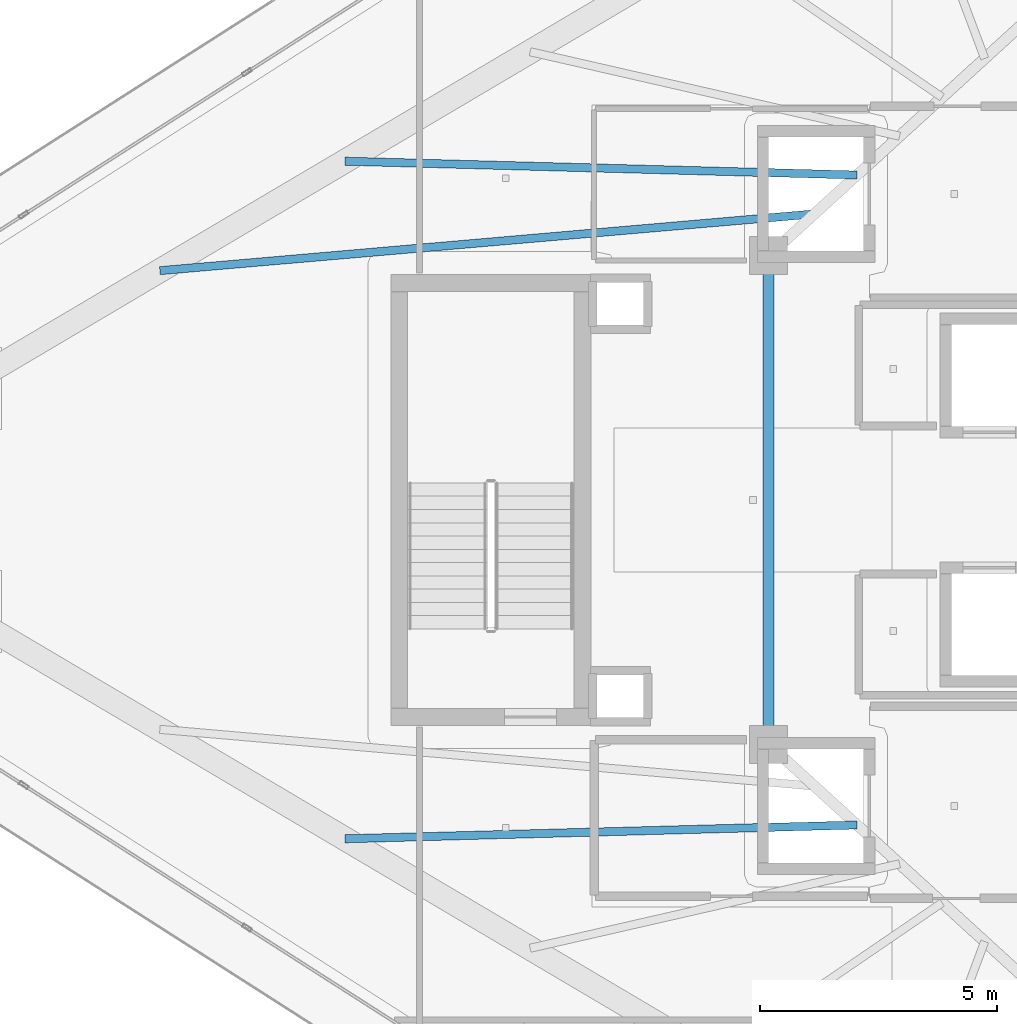
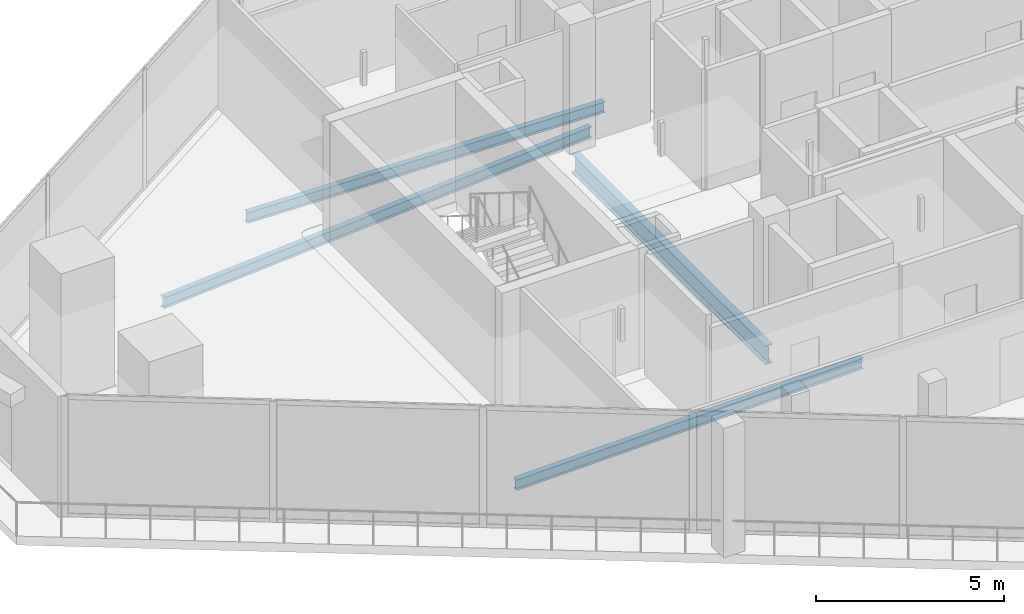
# One storey, part 9 of 34: 4 beams.
"""IFC4 building model written with IfcOpenShell, lengths in metres."""

from ifc_helpers import new_model, si_unit, direction, frame, origin, origin_2d, place, context, subcontext, project, spatial, i_section, extrude, material, material_profile, profile_set, type_object, element, save


model = new_model("IFC4")

# Units and contexts
model_context = context("Model", 3, precision=1e-05, world=origin(), true_north=direction((0.0, 1.0)))
body_context = subcontext(model_context, "Body", "Model", "MODEL_VIEW")
ifc_project = project(units=[si_unit("LENGTHUNIT", "METRE"), si_unit("AREAUNIT", "SQUARE_METRE"), si_unit("VOLUMEUNIT", "CUBIC_METRE"), si_unit("PLANEANGLEUNIT", "RADIAN"), si_unit("MASSUNIT", "GRAM", prefix="KILO")], contexts=[model_context])

# Site, building, storey
site_placement = place(None, origin())
site = spatial("IfcSite", under=ifc_project, at=site_placement, CompositionType="ELEMENT")
building_placement = place(site_placement, origin())
building = spatial("IfcBuilding", under=site, at=building_placement, Name="Qorvath Tower", CompositionType="ELEMENT")
storey_placement = place(building_placement, frame((0.0, 0.0, 268.199951171875)))
storey = spatial("IfcBuildingStorey", under=building, at=storey_placement, Name="L62", CompositionType="ELEMENT", Elevation=268.199951171875)

# Beams
ifc_material_1 = material(Name="Steel ASTM A992 Grade 50", Category="steel")
ifc_material_profile_1 = material_profile(ifc_material_1, i_section(OverallWidth=0.22998046875, OverallDepth=0.616943359375, WebThickness=0.01318359375, FlangeThickness=0.022216796875, FilletRadius=0.014892578125, at=origin_2d()), Name="W24x94")
ifc_profile_set_1 = profile_set([ifc_material_profile_1], Name="Steel ASTM A992 Grade 50")
beam_type_1 = type_object("IfcBeamType", Name="BM-FG6", PredefinedType="BEAM", material=ifc_profile_set_1)
beam_1_placement = place(storey_placement, frame((-30.5, -5.14990234375, -0.5986328125), z_axis=(0.0, 1.0, 0.0), x_axis=(-1.0, 0.0, 0.0)))
element("IfcBeam", 1, at=beam_1_placement, inside=storey, type_object=beam_type_1, Name="Core Ring Girder CC6-CC5 L62", PredefinedType="BEAM", context=body_context, shape_type="SweptSolid", body=[
    extrude(i_section(OverallWidth=0.22998046875, OverallDepth=0.616943359375, WebThickness=0.01318359375, FlangeThickness=0.022216796875, FilletRadius=0.014892578125, at=origin_2d()), origin(), (0.0, 0.0, 1.0), 10.2998046875),
])
ifc_material_2 = material(Name="Steel ASTM A992 Grade 50", Category="steel")
ifc_material_profile_2 = material_profile(ifc_material_2, i_section(OverallWidth=0.1708984375, OverallDepth=0.35107421875, WebThickness=0.0068359375, FlangeThickness=0.009765625, FilletRadius=0.010009765625, at=origin_2d()), Name="W14x30")
ifc_profile_set_2 = profile_set([ifc_material_profile_2], Name="Steel ASTM A992 Grade 50")
beam_type_2 = type_object("IfcBeamType", Name="BM-FJ4", PredefinedType="JOIST", material=ifc_profile_set_2)
beam_2_placement = place(storey_placement, frame((-29.533935546875, 6.031982421875, -0.465576171875), z_axis=(-0.996257895131, -0.086430355719, 0.0), x_axis=(0.086430355719, -0.996257895131, 0.0)))
element("IfcBeam", 2, at=beam_2_placement, inside=storey, type_object=beam_type_2, Name="Composite Floor Joist NW1 L62", PredefinedType="JOIST", context=body_context, shape_type="SweptSolid", body=[
    extrude(i_section(OverallWidth=0.1708984375, OverallDepth=0.35107421875, WebThickness=0.0068359375, FlangeThickness=0.009765625, FilletRadius=0.010009765625, at=origin_2d()), origin(), (0.0, 0.0, 1.0), 13.852294921875),
])
for number, where, z_axis, x_axis, name in (
    (3, (-28.636962890625, 6.85107421875, -0.465576171875), (-0.999635580213, 0.026994569327, 0.0), (-0.026994569327, -0.999635580213, 0.0), "Composite Floor Joist NW2 L62"),
    (4, (-28.636962890625, -6.85107421875, -0.465576171875), (-0.999635580213, -0.026994569327, 0.0), (0.026994569327, -0.999635580213, 0.0), "Composite Floor Joist SW2 L62"),
):
    element("IfcBeam", number, at=place(storey_placement, frame(where, z_axis=z_axis, x_axis=x_axis)), inside=storey, type_object=beam_type_2, Name=name, PredefinedType="JOIST", context=body_context, shape_type="SweptSolid", body=[
        extrude(i_section(OverallWidth=0.1708984375, OverallDepth=0.35107421875, WebThickness=0.0068359375, FlangeThickness=0.009765625, FilletRadius=0.010009765625, at=origin_2d()), origin(), (0.0, 0.0, 1.0), 10.798583984375),
    ])

save(model, "model.ifc")
